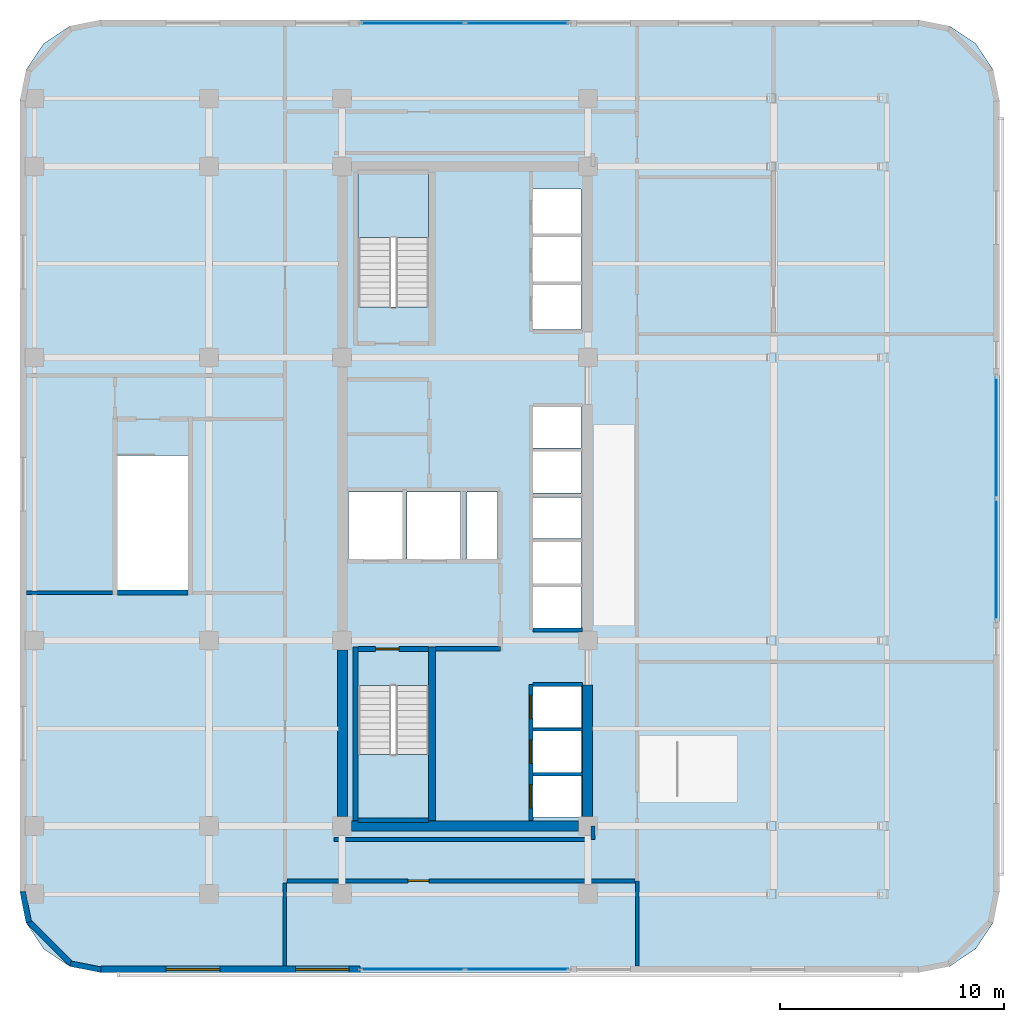
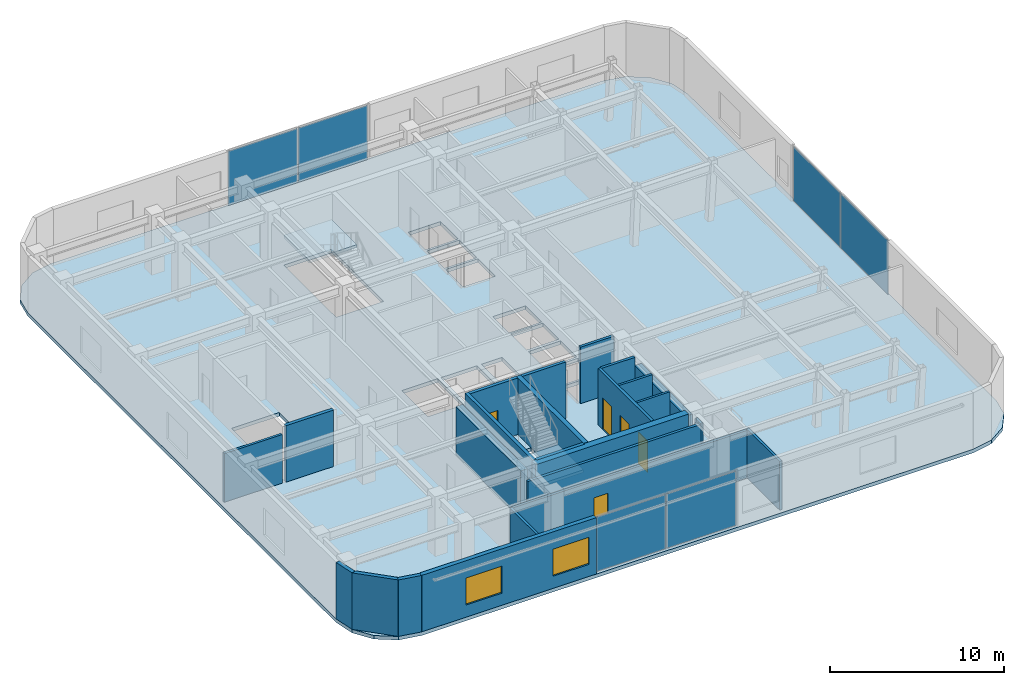
# One storey, part 6 of 13: 24 walls, 6 plates, 5 doors, 3 slabs, 2 windows, 7 openings, 5 elements without a shape of their own.
"""IFC4 building model written with IfcOpenShell, lengths in metres."""

from ifc_helpers import new_model, si_unit, direction, frame, frame_2d, origin, origin_2d, place, context, subcontext, project, spatial, polyline, rectangle, outline, extrude, material, layer, layer_set, type_object, element, fill, aggregate, save


model = new_model("IFC4")

# Units and contexts
model_context = context("Model", 3, precision=1e-05, world=origin(), true_north=direction((0.0, 1.0)))
body_context = subcontext(model_context, "Body", "Model", "MODEL_VIEW")
ifc_project = project(units=[si_unit("LENGTHUNIT", "METRE"), si_unit("AREAUNIT", "SQUARE_METRE"), si_unit("VOLUMEUNIT", "CUBIC_METRE"), si_unit("PLANEANGLEUNIT", "RADIAN"), si_unit("MASSUNIT", "GRAM", prefix="KILO")], contexts=[model_context])

# Site, building, storey
site_placement = place(None, origin())
site = spatial("IfcSite", under=ifc_project, at=site_placement, CompositionType="ELEMENT")
building_placement = place(site_placement, origin())
building = spatial("IfcBuilding", under=site, at=building_placement, Name="Ochreholt Gables", CompositionType="ELEMENT")
storey_placement = place(building_placement, frame((0.0, 0.0, 98.39990234375)))
storey = spatial("IfcBuildingStorey", under=building, at=storey_placement, Name="L25", CompositionType="ELEMENT", Elevation=98.39990234375)

# Curtain wall, plates
ifc_material_1 = material(Name="Unitised Aluminium and Triple Glazing", Category="aluminium")
ifc_layer_1 = layer(ifc_material_1, 0.219970703125, Name="Unitised Aluminium and Triple Glazing")
ifc_layer_set_1 = layer_set([ifc_layer_1], Name="Unitised Aluminium and Triple Glazing")
curtain_wall_type = type_object("IfcCurtainWallType", Name="CW-SYS6", PredefinedType="NOTDEFINED", material=ifc_layer_set_1)
curtain_wall_1_placement = place(storey_placement, origin())
curtain_wall_1 = element("IfcCurtainWall", 1, at=curtain_wall_1_placement, inside=storey, type_object=curtain_wall_type, Name="L25 South Unitised Curtain Wall", PredefinedType="NOTDEFINED")
ifc_material_2 = material(Name="Triple Low-E Insulating Glass", Category="glass")
ifc_layer_2 = layer(ifc_material_2, 0.0419921875, Name="Triple Low-E Insulating Glass")
ifc_layer_set_2 = layer_set([ifc_layer_2], Name="Triple Low-E Insulating Glass")
plate_type = type_object("IfcPlateType", Name="CW-PNL-42", PredefinedType="CURTAIN_PANEL", material=ifc_layer_set_2)
plate_1_placement = place(storey_placement, frame((27.36865234375, 2.840087890625, 0.074951171875), z_axis=(0.0, 0.0, 1.0), x_axis=(1.0, 0.0, 0.0)))
plate_1 = element("IfcPlate", 2, at=plate_1_placement, type_object=plate_type, Name="CW-6 panel 1.1", PredefinedType="CURTAIN_PANEL", context=body_context, shape_type="SweptSolid", body=[
    extrude(rectangle(XDim=4.58740234375, YDim=0.0419921875, at=origin_2d()), origin(), (0.0, 0.0, 1.0), 3.81005859375),
])
plate_2_placement = place(storey_placement, frame((32.03125, 2.840087890625, 0.074951171875), z_axis=(0.0, 0.0, 1.0), x_axis=(1.0, 0.0, 0.0)))
plate_2 = element("IfcPlate", 3, at=plate_2_placement, type_object=plate_type, Name="CW-6 panel 2.1", PredefinedType="CURTAIN_PANEL", context=body_context, shape_type="SweptSolid", body=[
    extrude(rectangle(XDim=4.58740234375, YDim=0.0419921875, at=origin_2d()), origin(), (0.0, 0.0, 1.0), 3.81005859375),
])
aggregate(curtain_wall_1, [plate_1, plate_2])

curtain_wall_2_placement = place(storey_placement, origin())
curtain_wall_2 = element("IfcCurtainWall", 4, at=curtain_wall_2_placement, inside=storey, type_object=curtain_wall_type, Name="L25 East Unitised Curtain Wall", PredefinedType="NOTDEFINED")
plate_3_placement = place(storey_placement, frame((53.4599609375, 21.168701171875, 0.074951171875), z_axis=(0.0, 0.0, 1.0), x_axis=(0.0, 1.0, 0.0)))
plate_3 = element("IfcPlate", 5, at=plate_3_placement, type_object=plate_type, Name="CW-6 panel 1.1", PredefinedType="CURTAIN_PANEL", context=body_context, shape_type="SweptSolid", body=[
    extrude(rectangle(XDim=5.387451171875, YDim=0.0419921875, at=origin_2d()), origin(), (0.0, 0.0, 1.0), 3.81005859375),
])
plate_4_placement = place(storey_placement, frame((53.4599609375, 26.63134765625, 0.074951171875), z_axis=(0.0, 0.0, 1.0), x_axis=(0.0, 1.0, 0.0)))
plate_4 = element("IfcPlate", 6, at=plate_4_placement, type_object=plate_type, Name="CW-6 panel 2.1", PredefinedType="CURTAIN_PANEL", context=body_context, shape_type="SweptSolid", body=[
    extrude(rectangle(XDim=5.387451171875, YDim=0.0419921875, at=origin_2d()), origin(), (0.0, 0.0, 1.0), 3.81005859375),
])
aggregate(curtain_wall_2, [plate_3, plate_4])

curtain_wall_3_placement = place(storey_placement, origin())
curtain_wall_3 = element("IfcCurtainWall", 7, at=curtain_wall_3_placement, inside=storey, type_object=curtain_wall_type, Name="L25 North Unitised Curtain Wall", PredefinedType="NOTDEFINED")
plate_5_placement = place(storey_placement, frame((32.03125, 45.159912109375, 0.074951171875), z_axis=(0.0, 0.0, 1.0), x_axis=(-1.0, 0.0, 0.0)))
plate_5 = element("IfcPlate", 8, at=plate_5_placement, type_object=plate_type, Name="CW-6 panel 1.1", PredefinedType="CURTAIN_PANEL", context=body_context, shape_type="SweptSolid", body=[
    extrude(rectangle(XDim=4.58740234375, YDim=0.0419921875, at=origin_2d()), origin(), (0.0, 0.0, 1.0), 3.81005859375),
])
plate_6_placement = place(storey_placement, frame((27.36865234375, 45.159912109375, 0.074951171875), z_axis=(0.0, 0.0, 1.0), x_axis=(-1.0, 0.0, 0.0)))
plate_6 = element("IfcPlate", 9, at=plate_6_placement, type_object=plate_type, Name="CW-6 panel 2.1", PredefinedType="CURTAIN_PANEL", context=body_context, shape_type="SweptSolid", body=[
    extrude(rectangle(XDim=4.58740234375, YDim=0.0419921875, at=origin_2d()), origin(), (0.0, 0.0, 1.0), 3.81005859375),
])
aggregate(curtain_wall_3, [plate_5, plate_6])

# Stair, slab
ifc_material_3 = material(Name="Concrete 40 MPa", Category="concrete")
stair_type_1 = type_object("IfcStairType", Name="STAIR-CORE-ST-1", PredefinedType="HALF_TURN_STAIR", material=ifc_material_3)
stair_1_placement = place(storey_placement, origin())
stair_1 = element("IfcStair", 10, at=stair_1_placement, inside=storey, type_object=stair_type_1, Name="L25 Core Exit Stair 1", PredefinedType="HALF_TURN_STAIR")
ifc_layer_3 = layer(ifc_material_3, 0.199951171875, Name="Concrete 40 MPa")
ifc_layer_set_3 = layer_set([ifc_layer_3], Name="Concrete 40 MPa")
slab_type_1 = type_object("IfcSlabType", Name="LANDING-RC200", PredefinedType="LANDING", material=ifc_layer_set_3)
slab_1_placement = place(storey_placement, frame((0.0, 0.0, 1.900146484375)))
slab_1 = element("IfcSlab", 11, at=slab_1_placement, type_object=slab_type_1, Name="ST-1 landing 1", PredefinedType="LANDING", context=body_context, shape_type="SweptSolid", body=[
    extrude(outline(polyline([(24.919921875, 12.43798828125), (24.919921875, 9.52001953125), (28.080078125, 9.52001953125), (28.080078125, 12.43798828125), (24.919921875, 12.43798828125)])), origin(), (0.0, 0.0, 1.0), 0.199951171875),
])
aggregate(stair_1, [slab_1])

stair_type_2 = type_object("IfcStairType", Name="STAIR-CORE-ST-2", PredefinedType="HALF_TURN_STAIR", material=ifc_material_3)
stair_2_placement = place(storey_placement, origin())
stair_2 = element("IfcStair", 12, at=stair_2_placement, inside=storey, type_object=stair_type_2, Name="L25 Core Exit Stair 2", PredefinedType="HALF_TURN_STAIR")
slab_2_placement = place(storey_placement, frame((0.0, 0.0, 1.900146484375)))
slab_2 = element("IfcSlab", 13, at=slab_2_placement, type_object=slab_type_1, Name="ST-2 landing 1", PredefinedType="LANDING", context=body_context, shape_type="SweptSolid", body=[
    extrude(outline(polyline([(28.080078125, 35.56201171875), (28.080078125, 38.47998046875), (24.919921875, 38.47998046875), (24.919921875, 35.56201171875), (28.080078125, 35.56201171875)])), origin(), (0.0, 0.0, 1.0), 0.199951171875),
])
aggregate(stair_2, [slab_2])

# Slab
ifc_layer_4 = layer(ifc_material_3, 0.25, Name="Concrete 40 MPa")
ifc_layer_set_4 = layer_set([ifc_layer_4], Name="Concrete 40 MPa")
slab_type_2 = type_object("IfcSlabType", Name="SLAB-COM-250", PredefinedType="FLOOR", material=ifc_layer_set_4)
slab_3_placement = place(storey_placement, frame((0.0, 0.0, -0.25)))
element("IfcSlab", 14, at=slab_3_placement, inside=storey, type_object=slab_type_2, Name="L25 Structural Floor Slab", PredefinedType="FLOOR", context=body_context, shape_type="SweptSolid", body=[
    extrude(outline(polyline([(9.800048828125, 6.300048828125), (10.073974609375, 4.92236328125), (10.8544921875, 3.75439453125), (12.022216796875, 2.97412109375), (13.39990234375, 2.699951171875), (50.0, 2.699951171875), (51.377685546875, 2.97412109375), (52.545654296875, 3.75439453125), (53.325927734375, 4.92236328125), (53.60009765625, 6.300048828125), (53.60009765625, 41.699951171875), (53.325927734375, 43.07763671875), (52.545654296875, 44.24560546875), (51.377685546875, 45.02587890625), (50.0, 45.300048828125), (13.39990234375, 45.300048828125), (12.022216796875, 45.02587890625), (10.8544921875, 44.24560546875), (10.073974609375, 43.07763671875), (9.800048828125, 41.699951171875), (9.800048828125, 6.300048828125)]), holes=[polyline([(24.919921875, 15.539306640625), (24.919921875, 9.52001953125), (28.080078125, 9.52001953125), (28.080078125, 15.539306640625), (24.919921875, 15.539306640625)]), polyline([(28.080078125, 32.460693359375), (28.080078125, 38.47998046875), (24.919921875, 38.47998046875), (24.919921875, 32.460693359375), (28.080078125, 32.460693359375)]), polyline([(14.14990234375, 25.819091796875), (14.14990234375, 19.800048828125), (17.31005859375, 19.800048828125), (17.31005859375, 25.819091796875), (14.14990234375, 25.819091796875)]), polyline([(24.5, 21.199951171875), (26.89990234375, 21.199951171875), (26.89990234375, 24.199951171875), (24.5, 24.199951171875), (24.5, 21.199951171875)]), polyline([(27.10009765625, 21.199951171875), (29.5, 21.199951171875), (29.5, 24.199951171875), (27.10009765625, 24.199951171875), (27.10009765625, 21.199951171875)]), polyline([(32.75, 9.64990234375), (34.89990234375, 9.64990234375), (34.89990234375, 11.5), (32.75, 11.5), (32.75, 9.64990234375)]), polyline([(32.75, 11.64990234375), (34.89990234375, 11.64990234375), (34.89990234375, 13.5), (32.75, 13.5), (32.75, 11.64990234375)]), polyline([(32.75, 13.64990234375), (34.89990234375, 13.64990234375), (34.89990234375, 15.5), (32.75, 15.5), (32.75, 13.64990234375)]), polyline([(32.75, 18.10009765625), (34.89990234375, 18.10009765625), (34.89990234375, 19.949951171875), (32.75, 19.949951171875), (32.75, 18.10009765625)]), polyline([(32.75, 20.10009765625), (34.89990234375, 20.10009765625), (34.89990234375, 21.949951171875), (32.75, 21.949951171875), (32.75, 20.10009765625)]), polyline([(32.75, 22.10009765625), (34.89990234375, 22.10009765625), (34.89990234375, 23.949951171875), (32.75, 23.949951171875), (32.75, 22.10009765625)]), polyline([(32.75, 24.14990234375), (34.89990234375, 24.14990234375), (34.89990234375, 26.0), (32.75, 26.0), (32.75, 24.14990234375)]), polyline([(32.75, 26.14990234375), (34.89990234375, 26.14990234375), (34.89990234375, 28.0), (32.75, 28.0), (32.75, 26.14990234375)]), polyline([(32.75, 31.449951171875), (34.89990234375, 31.449951171875), (34.89990234375, 33.449951171875), (32.75, 33.449951171875), (32.75, 31.449951171875)]), polyline([(32.75, 33.60009765625), (34.89990234375, 33.60009765625), (34.89990234375, 35.60009765625), (32.75, 35.60009765625), (32.75, 33.60009765625)]), polyline([(32.75, 35.75), (34.89990234375, 35.75), (34.89990234375, 37.75), (32.75, 37.75), (32.75, 35.75)]), polyline([(29.800048828125, 21.199951171875), (31.14990234375, 21.199951171875), (31.14990234375, 24.199951171875), (29.800048828125, 24.199951171875), (29.800048828125, 21.199951171875)])]), origin(), (0.0, 0.0, 1.0), 0.25),
])

# Walls
ifc_material_4 = material(Name="Concrete 60 MPa", Category="concrete")
ifc_layer_5 = layer(ifc_material_4, 0.449951171875, Name="Concrete 60 MPa")
ifc_layer_set_5 = layer_set([ifc_layer_5], Name="Concrete 60 MPa")
wall_type_1 = type_object("IfcWallType", Name="WALL-CSW-450", PredefinedType="SHEAR", material=ifc_layer_set_5)
wall_1_placement = place(storey_placement, frame((24.22509765625, 9.675048828125, 0.0), z_axis=(0.0, 0.0, 1.0), x_axis=(0.0, 1.0, 0.0)))
element("IfcWall", 15, at=wall_1_placement, inside=storey, type_object=wall_type_1, Name="L25 Core West Shear Wall WS", PredefinedType="SHEAR", context=body_context, shape_type="SweptSolid", body=[
    extrude(rectangle(XDim=7.449951171875, YDim=0.449951171875, at=frame_2d((3.72509765625, 0.0))), origin(), (0.0, 0.0, 1.0), 3.34912109375),
])
wall_2_placement = place(storey_placement, frame((35.175048828125, 9.675048828125, 0.0), z_axis=(0.0, 0.0, 1.0), x_axis=(0.0, 1.0, 0.0)))
element("IfcWall", 16, at=wall_2_placement, inside=storey, type_object=wall_type_1, Name="L25 Core South-East Shear Wall", PredefinedType="SHEAR", context=body_context, shape_type="SweptSolid", body=[
    extrude(rectangle(XDim=5.875, YDim=0.449951171875, at=frame_2d((2.9375, 0.0))), origin(), (0.0, 0.0, 1.0), 3.34912109375),
])
wall_3_placement = place(storey_placement, frame((24.625, 9.25, 0.0), z_axis=(0.0, 0.0, 1.0), x_axis=(1.0, 0.0, 0.0)))
element("IfcWall", 17, at=wall_3_placement, inside=storey, type_object=wall_type_1, Name="L25 Core South Shear Wall", PredefinedType="SHEAR", context=body_context, shape_type="SweptSolid", body=[
    extrude(rectangle(XDim=10.14990234375, YDim=0.449951171875, at=frame_2d((5.074951171875, 0.0))), origin(), (0.0, 0.0, 1.0), 3.960205078125),
])

# Wall, openings, windows
ifc_material_5 = material(Name="Precast concrete 40 MPa", Category="concrete")
ifc_layer_6 = layer(ifc_material_5, 0.280029296875, Name="Precast concrete 40 MPa")
ifc_layer_set_6 = layer_set([ifc_layer_6], Name="Precast concrete 40 MPa")
wall_type_2 = type_object("IfcWallType", Name="WALL-EXT-280", PredefinedType="SOLIDWALL", material=ifc_layer_set_6)
wall_4_placement = place(storey_placement, frame((13.419921875, 2.840087890625, 0.0), z_axis=(0.0, 0.0, 1.0), x_axis=(1.0, 0.0, 0.0)))
wall_4 = element("IfcWall", 18, at=wall_4_placement, inside=storey, type_object=wall_type_2, Name="L25 South Facade Wall 1", PredefinedType="SOLIDWALL", context=body_context, shape_type="SweptSolid", body=[
    extrude(rectangle(XDim=11.580078125, YDim=0.280029296875, at=frame_2d((5.7900390625, 0.0))), origin(), (0.0, 0.0, 1.0), 3.960205078125),
])
opening_1_placement = place(wall_4_placement, frame((2.9150390625, 0.0, 0.85009765625)))
opening_1 = element("IfcOpeningElement", 19, at=opening_1_placement, cuts=wall_4, Name="Opening WN-5", PredefinedType="OPENING", context=body_context, shape_type="SweptSolid", body=[
    extrude(rectangle(XDim=2.39990234375, YDim=1.89990234375, at=frame_2d((1.199951171875, 0.949951171875))), frame((0.0, 0.14990234375, 0.0), z_axis=(0.0, -1.0, 0.0), x_axis=(1.0, 0.0, 0.0)), (0.0, 0.0, 1.0), 0.300048828125),
])
opening_2_placement = place(wall_4_placement, frame((8.705078125, 0.0, 0.85009765625)))
opening_2 = element("IfcOpeningElement", 20, at=opening_2_placement, cuts=wall_4, Name="Opening WN-5", PredefinedType="OPENING", context=body_context, shape_type="SweptSolid", body=[
    extrude(rectangle(XDim=2.39990234375, YDim=1.89990234375, at=frame_2d((1.199951171875, 0.949951171875))), frame((0.0, 0.14990234375, 0.0), z_axis=(0.0, -1.0, 0.0), x_axis=(1.0, 0.0, 0.0)), (0.0, 0.0, 1.0), 0.300048828125),
])
ifc_material_6 = material(Name="Triple-Glazed Thermally Broken Aluminium Window", Category="aluminium")
window_type = type_object("IfcWindowType", Name="WIN-COM-2400", PartitioningType="SINGLE_PANEL", PredefinedType="WINDOW", material=ifc_material_6)
window_1_placement = place(opening_1_placement, origin())
window_1 = element("IfcWindow", 21, at=window_1_placement, inside=storey, type_object=window_type, Name="L25 Window W-EXT-S1-L25-1", OverallHeight=1.89990234375, OverallWidth=2.39990234375, PartitioningType="SINGLE_PANEL", PredefinedType="WINDOW", context=body_context, shape_type="SweptSolid", body=[
    extrude(rectangle(XDim=2.39990234375, YDim=1.89990234375, at=frame_2d((1.199951171875, 0.949951171875))), frame((0.0, 0.030029296875, 0.0), z_axis=(0.0, -1.0, 0.0), x_axis=(1.0, 0.0, 0.0)), (0.0, 0.0, 1.0), 0.06005859375),
])
fill(opening_1, window_1)
window_2_placement = place(opening_2_placement, origin())
window_2 = element("IfcWindow", 22, at=window_2_placement, inside=storey, type_object=window_type, Name="L25 Window W-EXT-S1-L25-2", OverallHeight=1.89990234375, OverallWidth=2.39990234375, PartitioningType="SINGLE_PANEL", PredefinedType="WINDOW", context=body_context, shape_type="SweptSolid", body=[
    extrude(rectangle(XDim=2.39990234375, YDim=1.89990234375, at=frame_2d((1.199951171875, 0.949951171875))), frame((0.0, 0.030029296875, 0.0), z_axis=(0.0, -1.0, 0.0), x_axis=(1.0, 0.0, 0.0)), (0.0, 0.0, 1.0), 0.06005859375),
])
fill(opening_2, window_2)

# Walls
ifc_layer_7 = layer(ifc_material_5, 0.25, Name="Precast concrete 40 MPa")
ifc_layer_set_7 = layer_set([ifc_layer_7], Name="Precast concrete 40 MPa")
wall_type_3 = type_object("IfcWallType", Name="WALL-EXT-CNR", PredefinedType="SOLIDWALL", material=ifc_layer_set_7)
wall_5_placement = place(storey_placement, frame((9.92431640625, 6.31640625, 0.0), z_axis=(0.0, 0.0, 1.0), x_axis=(0.195000137217, -0.980803214965, 0.0)))
element("IfcWall", 23, at=wall_5_placement, inside=storey, type_object=wall_type_3, Name="L25 Rounded Corner Wall SW-1", PredefinedType="SOLIDWALL", context=body_context, shape_type="SweptSolid", body=[
    extrude(rectangle(XDim=1.388427734375, YDim=0.25, at=frame_2d((0.6943359375, 0.0))), origin(), (0.0, 0.0, 1.0), 3.960205078125),
])
wall_6_placement = place(storey_placement, frame((10.16796875, 5.0048828125, 0.0), z_axis=(0.0, 0.0, 1.0), x_axis=(0.707151344399, -0.707062215165, 0.0)))
element("IfcWall", 24, at=wall_6_placement, inside=storey, type_object=wall_type_3, Name="L25 Rounded Corner Wall SW-2", PredefinedType="SOLIDWALL", context=body_context, shape_type="SweptSolid", body=[
    extrude(rectangle(XDim=2.7392578125, YDim=0.25, at=frame_2d((1.36962890625, 0.0))), origin(), (0.0, 0.0, 1.0), 3.960205078125),
])
wall_7_placement = place(storey_placement, frame((12.054443359375, 3.094970703125, 0.0), z_axis=(0.0, 0.0, 1.0), x_axis=(0.980809899341, -0.19496651342, 0.0)))
element("IfcWall", 25, at=wall_7_placement, inside=storey, type_object=wall_type_3, Name="L25 Rounded Corner Wall SW-3", PredefinedType="SOLIDWALL", context=body_context, shape_type="SweptSolid", body=[
    extrude(rectangle(XDim=1.388671875, YDim=0.25, at=frame_2d((0.6943359375, 0.0))), origin(), (0.0, 0.0, 1.0), 3.960205078125),
])
ifc_layer_8 = layer(ifc_material_3, 0.199951171875, Name="Concrete 40 MPa")
ifc_layer_set_8 = layer_set([ifc_layer_8], Name="Concrete 40 MPa")
wall_type_4 = type_object("IfcWallType", Name="WALL-INT-CF200", PredefinedType="STANDARD", material=ifc_layer_set_8)
wall_8_placement = place(storey_placement, frame((28.3798828125, 17.169921875, 0.0), z_axis=(0.0, 0.0, 1.0), x_axis=(1.0, 0.0, 0.0)))
element("IfcWall", 26, at=wall_8_placement, inside=storey, type_object=wall_type_4, Name="L25 Interior Wall WI-FFS-L25", PredefinedType="STANDARD", context=body_context, shape_type="SweptSolid", body=[
    extrude(rectangle(XDim=2.900146484375, YDim=0.199951171875, at=frame_2d((1.4501953125, 0.0))), origin(), (0.0, 0.0, 1.0), 3.960205078125),
])
ifc_material_7 = material(Name="Fire-Rated Gypsum Acoustic Partition", Category="gypsum")
ifc_layer_9 = layer(ifc_material_7, 0.179931640625, Name="Fire-Rated Gypsum Acoustic Partition")
ifc_layer_set_9 = layer_set([ifc_layer_9], Name="Fire-Rated Gypsum Acoustic Partition")
wall_type_5 = type_object("IfcWallType", Name="WALL-INT-CR180", PredefinedType="STANDARD", material=ifc_layer_set_9)
wall_9_placement = place(storey_placement, frame((35.419921875, 8.64990234375, 0.0), z_axis=(0.0, 0.0, 1.0), x_axis=(0.0, 1.0, 0.0)))
element("IfcWall", 27, at=wall_9_placement, inside=storey, type_object=wall_type_5, Name="L25 Interior Wall WI-CMCSW1-L25", PredefinedType="STANDARD", context=body_context, shape_type="SweptSolid", body=[
    extrude(rectangle(XDim=0.60009765625, YDim=0.179931640625, at=frame_2d((0.300048828125, 0.0))), origin(), (0.0, 0.0, 1.0), 3.3310546875),
])

# Wall, opening, door
wall_10_placement = place(storey_placement, frame((21.739990234375, 6.800048828125, 0.0), z_axis=(0.0, 0.0, 1.0), x_axis=(1.0, 0.0, 0.0)))
wall_10 = element("IfcWall", 28, at=wall_10_placement, inside=storey, type_object=wall_type_5, Name="L25 Interior Wall WI-CMCS-L25", PredefinedType="STANDARD", context=body_context, shape_type="SweptSolid", body=[
    extrude(rectangle(XDim=15.570068359375, YDim=0.179931640625, at=frame_2d((7.78515625, 0.0))), origin(), (0.0, 0.0, 1.0), 3.3310546875),
])
opening_3_placement = place(wall_10_placement, frame((5.409912109375, 0.0, 0.0)))
opening_3 = element("IfcOpeningElement", 29, at=opening_3_placement, cuts=wall_10, Name="Opening D-GN1", PredefinedType="OPENING", context=body_context, shape_type="SweptSolid", body=[
    extrude(rectangle(XDim=0.949951171875, YDim=2.14990234375, at=frame_2d((0.47509765625, 1.074951171875))), frame((0.0, 0.099853515625, 0.0), z_axis=(0.0, -1.0, 0.0), x_axis=(1.0, 0.0, 0.0)), (0.0, 0.0, 1.0), 0.199951171875),
])
ifc_material_8 = material(Name="Engineered Oak Timber", Category="wood")
door_type_1 = type_object("IfcDoorType", Name="DR-INT-GEN950", OperationType="NOTDEFINED", PredefinedType="DOOR", material=ifc_material_8)
door_1_placement = place(opening_3_placement, origin())
door_1 = element("IfcDoor", 30, at=door_1_placement, inside=storey, type_object=door_type_1, Name="L25 Door D-CMCS-L25", OperationType="SINGLE_SWING_LEFT", OverallHeight=2.14990234375, OverallWidth=0.949951171875, PredefinedType="DOOR", context=body_context, shape_type="SweptSolid", body=[
    extrude(rectangle(XDim=0.949951171875, YDim=2.14990234375, at=frame_2d((0.47509765625, 1.074951171875))), frame((0.0, 0.02490234375, 0.0), z_axis=(0.0, -1.0, 0.0), x_axis=(1.0, 0.0, 0.0)), (0.0, 0.0, 1.0), 0.050048828125),
])
fill(opening_3, door_1)

# Walls
wall_11_placement = place(storey_placement, frame((23.85009765625, 8.64990234375, 0.0), z_axis=(0.0, 0.0, 1.0), x_axis=(1.0, 0.0, 0.0)))
element("IfcWall", 31, at=wall_11_placement, inside=storey, type_object=wall_type_5, Name="L25 Interior Wall WI-CMCS2-L25", PredefinedType="STANDARD", context=body_context, shape_type="SweptSolid", body=[
    extrude(rectangle(XDim=11.47998046875, YDim=0.179931640625, at=frame_2d((5.739990234375, 0.0))), origin(), (0.0, 0.0, 1.0), 3.3310546875),
])
ifc_material_9 = material(Name="Gypsum Acoustic Stud Partition", Category="gypsum")
ifc_layer_10 = layer(ifc_material_9, 0.159912109375, Name="Gypsum Acoustic Stud Partition")
ifc_layer_set_10 = layer_set([ifc_layer_10], Name="Gypsum Acoustic Stud Partition")
wall_type_6 = type_object("IfcWallType", Name="WALL-INT-PT160", PredefinedType="PARTITIONING", material=ifc_layer_set_10)
wall_12_placement = place(storey_placement, frame((37.39990234375, 2.97998046875, 0.0), z_axis=(0.0, 0.0, 1.0), x_axis=(0.0, 1.0, 0.0)))
element("IfcWall", 32, at=wall_12_placement, inside=storey, type_object=wall_type_6, Name="L25 Interior Wall WI-CMCES-L25", PredefinedType="PARTITIONING", context=body_context, shape_type="SweptSolid", body=[
    extrude(rectangle(XDim=3.820068359375, YDim=0.159912109375, at=frame_2d((1.91015625, 0.0))), origin(), (0.0, 0.0, 1.0), 3.4091796875),
])
wall_13_placement = place(storey_placement, frame((21.64990234375, 2.97998046875, 0.0), z_axis=(0.0, 0.0, 1.0), x_axis=(0.0, 1.0, 0.0)))
element("IfcWall", 33, at=wall_13_placement, inside=storey, type_object=wall_type_6, Name="L25 Interior Wall WI-CMCWS-L25", PredefinedType="PARTITIONING", context=body_context, shape_type="SweptSolid", body=[
    extrude(rectangle(XDim=3.72998046875, YDim=0.159912109375, at=frame_2d((1.864990234375, 0.0))), origin(), (0.0, 0.0, 1.0), 3.4091796875),
])
wall_14_placement = place(storey_placement, frame((10.080078125, 19.68994140625, 0.0), z_axis=(0.0, 0.0, 1.0), x_axis=(1.0, 0.0, 0.0)))
element("IfcWall", 34, at=wall_14_placement, inside=storey, type_object=wall_type_6, Name="L25 Interior Wall WI-CMWM1-L25", PredefinedType="PARTITIONING", context=body_context, shape_type="SweptSolid", body=[
    extrude(rectangle(XDim=3.849853515625, YDim=0.159912109375, at=frame_2d((1.9248046875, 0.0))), origin(), (0.0, 0.0, 1.0), 3.4091796875),
])
ifc_material_10 = material(Name="Gypsum Shaftliner and Steel Stud", Category="steel")
ifc_layer_11 = layer(ifc_material_10, 0.14990234375, Name="Gypsum Shaftliner and Steel Stud")
ifc_layer_set_11 = layer_set([ifc_layer_11], Name="Gypsum Shaftliner and Steel Stud")
wall_type_7 = type_object("IfcWallType", Name="WALL-INT-SH150", PredefinedType="STANDARD", material=ifc_layer_set_11)
for number, where, z_axis, x_axis, name in (
    (35, (32.739990234375, 11.570068359375, 0.0), (0.0, 0.0, 1.0), (1.0, 0.0, 0.0), "L25 Interior Wall WI-LFL-D1-L25"),
    (36, (32.739990234375, 13.570068359375, 0.0), (0.0, 0.0, 1.0), (1.0, 0.0, 0.0), "L25 Interior Wall WI-LFL-D2-L25"),
):
    element("IfcWall", number, at=place(storey_placement, frame(where, z_axis=z_axis, x_axis=x_axis)), inside=storey, type_object=wall_type_7, Name=name, PredefinedType="STANDARD", context=body_context, shape_type="SweptSolid", body=[
        extrude(rectangle(XDim=2.2099609375, YDim=0.14990234375, at=frame_2d((1.10498046875, 0.0))), origin(), (0.0, 0.0, 1.0), 3.960205078125),
    ])

# Wall, openings, doors
ifc_layer_12 = layer(ifc_material_10, 0.179931640625, Name="Gypsum Shaftliner and Steel Stud")
ifc_layer_set_12 = layer_set([ifc_layer_12], Name="Gypsum Shaftliner and Steel Stud")
wall_type_8 = type_object("IfcWallType", Name="WALL-INT-SH180", PredefinedType="STANDARD", material=ifc_layer_set_12)
wall_15_placement = place(storey_placement, frame((32.64990234375, 9.5, 0.0), z_axis=(0.0, 0.0, 1.0), x_axis=(0.0, 1.0, 0.0)))
wall_15 = element("IfcWall", 37, at=wall_15_placement, inside=storey, type_object=wall_type_8, Name="L25 Interior Wall WI-LFL-FR-L25", PredefinedType="STANDARD", context=body_context, shape_type="SweptSolid", body=[
    extrude(rectangle(XDim=6.080078125, YDim=0.179931640625, at=frame_2d((3.0400390625, 0.0))), origin(), (0.0, 0.0, 1.0), 3.960205078125),
])
opening_4_placement = place(wall_15_placement, frame((0.550048828125, 0.0, 0.0)))
opening_4 = element("IfcOpeningElement", 38, at=opening_4_placement, cuts=wall_15, Name="Opening LD-PX", PredefinedType="OPENING", context=body_context, shape_type="SweptSolid", body=[
    extrude(rectangle(XDim=1.050048828125, YDim=2.199951171875, at=frame_2d((0.52490234375, 1.10009765625))), frame((0.0, 0.099853515625, 0.0), z_axis=(0.0, -1.0, 0.0), x_axis=(1.0, 0.0, 0.0)), (0.0, 0.0, 1.0), 0.199951171875),
])
opening_5_placement = place(wall_15_placement, frame((2.550048828125, 0.0, 0.0)))
opening_5 = element("IfcOpeningElement", 39, at=opening_5_placement, cuts=wall_15, Name="Opening LD-PX", PredefinedType="OPENING", context=body_context, shape_type="SweptSolid", body=[
    extrude(rectangle(XDim=1.050048828125, YDim=2.199951171875, at=frame_2d((0.52490234375, 1.10009765625))), frame((0.0, 0.099853515625, 0.0), z_axis=(0.0, -1.0, 0.0), x_axis=(1.0, 0.0, 0.0)), (0.0, 0.0, 1.0), 0.199951171875),
])
opening_6_placement = place(wall_15_placement, frame((4.550048828125, 0.0, 0.0)))
opening_6 = element("IfcOpeningElement", 40, at=opening_6_placement, cuts=wall_15, Name="Opening LD-PX", PredefinedType="OPENING", context=body_context, shape_type="SweptSolid", body=[
    extrude(rectangle(XDim=1.050048828125, YDim=2.199951171875, at=frame_2d((0.52490234375, 1.10009765625))), frame((0.0, 0.099853515625, 0.0), z_axis=(0.0, -1.0, 0.0), x_axis=(1.0, 0.0, 0.0)), (0.0, 0.0, 1.0), 0.199951171875),
])
ifc_material_11 = material(Name="Stainless Steel", Category="steel")
door_type_2 = type_object("IfcDoorType", Name="DR-LFT-PX1050", OperationType="NOTDEFINED", PredefinedType="DOOR", material=ifc_material_11)
door_2_placement = place(opening_4_placement, origin())
door_2 = element("IfcDoor", 41, at=door_2_placement, inside=storey, type_object=door_type_2, Name="L25 Door LD-L1-L25", OperationType="SLIDING_TO_LEFT", OverallHeight=2.199951171875, OverallWidth=1.050048828125, PredefinedType="DOOR", context=body_context, shape_type="SweptSolid", body=[
    extrude(rectangle(XDim=1.050048828125, YDim=2.199951171875, at=frame_2d((0.52490234375, 1.10009765625))), frame((0.0, 0.02490234375, 0.0), z_axis=(0.0, -1.0, 0.0), x_axis=(1.0, 0.0, 0.0)), (0.0, 0.0, 1.0), 0.050048828125),
])
fill(opening_4, door_2)
door_3_placement = place(opening_5_placement, origin())
door_3 = element("IfcDoor", 42, at=door_3_placement, inside=storey, type_object=door_type_2, Name="L25 Door LD-L2-L25", OperationType="SLIDING_TO_LEFT", OverallHeight=2.199951171875, OverallWidth=1.050048828125, PredefinedType="DOOR", context=body_context, shape_type="SweptSolid", body=[
    extrude(rectangle(XDim=1.050048828125, YDim=2.199951171875, at=frame_2d((0.52490234375, 1.10009765625))), frame((0.0, 0.02490234375, 0.0), z_axis=(0.0, -1.0, 0.0), x_axis=(1.0, 0.0, 0.0)), (0.0, 0.0, 1.0), 0.050048828125),
])
fill(opening_5, door_3)
door_4_placement = place(opening_6_placement, origin())
door_4 = element("IfcDoor", 43, at=door_4_placement, inside=storey, type_object=door_type_2, Name="L25 Door LD-L3-L25", OperationType="SLIDING_TO_LEFT", OverallHeight=2.199951171875, OverallWidth=1.050048828125, PredefinedType="DOOR", context=body_context, shape_type="SweptSolid", body=[
    extrude(rectangle(XDim=1.050048828125, YDim=2.199951171875, at=frame_2d((0.52490234375, 1.10009765625))), frame((0.0, 0.02490234375, 0.0), z_axis=(0.0, -1.0, 0.0), x_axis=(1.0, 0.0, 0.0)), (0.0, 0.0, 1.0), 0.050048828125),
])
fill(opening_6, door_4)

# Walls
for number, where, z_axis, x_axis, name in (
    (44, (32.739990234375, 15.580078125, 0.0), (0.0, 0.0, 1.0), (1.0, 0.0, 0.0), "L25 Interior Wall WI-LFL-N-L25"),
    (45, (32.739990234375, 18.02001953125, 0.0), (0.0, 0.0, 1.0), (1.0, 0.0, 0.0), "L25 Interior Wall WI-LFHE-S-L25"),
):
    element("IfcWall", number, at=place(storey_placement, frame(where, z_axis=z_axis, x_axis=x_axis)), inside=storey, type_object=wall_type_8, Name=name, PredefinedType="STANDARD", context=body_context, shape_type="SweptSolid", body=[
        extrude(rectangle(XDim=2.2099609375, YDim=0.179931640625, at=frame_2d((1.10498046875, 0.0))), origin(), (0.0, 0.0, 1.0), 3.960205078125),
    ])
ifc_layer_13 = layer(ifc_material_4, 0.300048828125, Name="Concrete 60 MPa")
ifc_layer_set_13 = layer_set([ifc_layer_13], Name="Concrete 60 MPa")
wall_type_9 = type_object("IfcWallType", Name="WALL-SPN-300", PredefinedType="SHEAR", material=ifc_layer_set_13)
wall_16_placement = place(storey_placement, frame((28.22998046875, 9.5, 0.0), z_axis=(0.0, 0.0, 1.0), x_axis=(0.0, 1.0, 0.0)))
element("IfcWall", 46, at=wall_16_placement, inside=storey, type_object=wall_type_9, Name="L25 Core South Spine Shear Wall", PredefinedType="SHEAR", context=body_context, shape_type="SweptSolid", body=[
    extrude(rectangle(XDim=7.760009765625, YDim=0.300048828125, at=frame_2d((3.8798828125, 0.0))), origin(), (0.0, 0.0, 1.0), 3.960205078125),
])
ifc_material_12 = material(Name="Concrete 50 MPa", Category="concrete")
ifc_layer_14 = layer(ifc_material_12, 0.219970703125, Name="Concrete 50 MPa")
ifc_layer_set_14 = layer_set([ifc_layer_14], Name="Concrete 50 MPa")
wall_type_10 = type_object("IfcWallType", Name="WALL-STW-220", PredefinedType="SHEAR", material=ifc_layer_set_14)
wall_17_placement = place(storey_placement, frame((24.81005859375, 9.5, 0.0), z_axis=(0.0, 0.0, 1.0), x_axis=(0.0, 1.0, 0.0)))
element("IfcWall", 47, at=wall_17_placement, inside=storey, type_object=wall_type_10, Name="L25 Exit Stair 1 West Wall", PredefinedType="SHEAR", context=body_context, shape_type="SweptSolid", body=[
    extrude(rectangle(XDim=7.760009765625, YDim=0.219970703125, at=frame_2d((3.8798828125, 0.0))), origin(), (0.0, 0.0, 1.0), 3.960205078125),
])
wall_18_placement = place(storey_placement, frame((24.919921875, 9.510009765625, 0.0), z_axis=(0.0, 0.0, 1.0), x_axis=(1.0, 0.0, 0.0)))
element("IfcWall", 48, at=wall_18_placement, inside=storey, type_object=wall_type_10, Name="L25 Exit Stair 1 South Wall", PredefinedType="SHEAR", context=body_context, shape_type="SweptSolid", body=[
    extrude(rectangle(XDim=3.16015625, YDim=0.219970703125, at=frame_2d((1.580078125, 0.0))), origin(), (0.0, 0.0, 1.0), 3.960205078125),
])

# Wall, opening, door
wall_19_placement = place(storey_placement, frame((24.919921875, 17.169921875, 0.0), z_axis=(0.0, 0.0, 1.0), x_axis=(1.0, 0.0, 0.0)))
wall_19 = element("IfcWall", 49, at=wall_19_placement, inside=storey, type_object=wall_type_10, Name="L25 Exit Stair 1 North Wall", PredefinedType="SHEAR", context=body_context, shape_type="SweptSolid", body=[
    extrude(rectangle(XDim=3.16015625, YDim=0.219970703125, at=frame_2d((1.580078125, 0.0))), origin(), (0.0, 0.0, 1.0), 3.960205078125),
])
opening_7_placement = place(wall_19_placement, frame((0.780029296875, 0.0, 0.0)))
opening_7 = element("IfcOpeningElement", 50, at=opening_7_placement, cuts=wall_19, Name="Opening D-STC", PredefinedType="OPENING", context=body_context, shape_type="SweptSolid", body=[
    extrude(rectangle(XDim=1.050048828125, YDim=2.14990234375, at=frame_2d((0.52490234375, 1.074951171875))), frame((0.0, 0.119873046875, 0.0), z_axis=(0.0, -1.0, 0.0), x_axis=(1.0, 0.0, 0.0)), (0.0, 0.0, 1.0), 0.239990234375),
])
ifc_material_13 = material(Name="Hollow Metal Steel", Category="steel")
door_type_3 = type_object("IfcDoorType", Name="DR-INT-ST1050", OperationType="NOTDEFINED", PredefinedType="DOOR", material=ifc_material_13)
door_5_placement = place(opening_7_placement, frame((1.050048828125, 0.0, 0.0), z_axis=(0.0, 0.0, 1.0), x_axis=(-1.0, 0.0, 0.0)))
door_5 = element("IfcDoor", 51, at=door_5_placement, inside=storey, type_object=door_type_3, Name="L25 Door D-ST1-L25", OperationType="SINGLE_SWING_LEFT", OverallHeight=2.14990234375, OverallWidth=1.050048828125, PredefinedType="DOOR", context=body_context, shape_type="SweptSolid", body=[
    extrude(rectangle(XDim=1.050048828125, YDim=2.14990234375, at=frame_2d((0.52490234375, 1.074951171875))), frame((0.0, 0.02490234375, 0.0), z_axis=(0.0, -1.0, 0.0), x_axis=(1.0, 0.0, 0.0)), (0.0, 0.0, 1.0), 0.050048828125),
])
fill(opening_7, door_5)

# Wall
wall_20_placement = place(storey_placement, frame((14.14990234375, 19.68994140625, 0.0), z_axis=(0.0, 0.0, 1.0), x_axis=(1.0, 0.0, 0.0)))
element("IfcWall", 52, at=wall_20_placement, inside=storey, type_object=wall_type_10, Name="L25 Feature Stair ST-C2 South Wall", PredefinedType="SHEAR", context=body_context, shape_type="SweptSolid", body=[
    extrude(rectangle(XDim=3.16015625, YDim=0.219970703125, at=frame_2d((1.580078125, 0.0))), origin(), (0.0, 0.0, 1.0), 3.960205078125),
])

save(model, "model.ifc")
